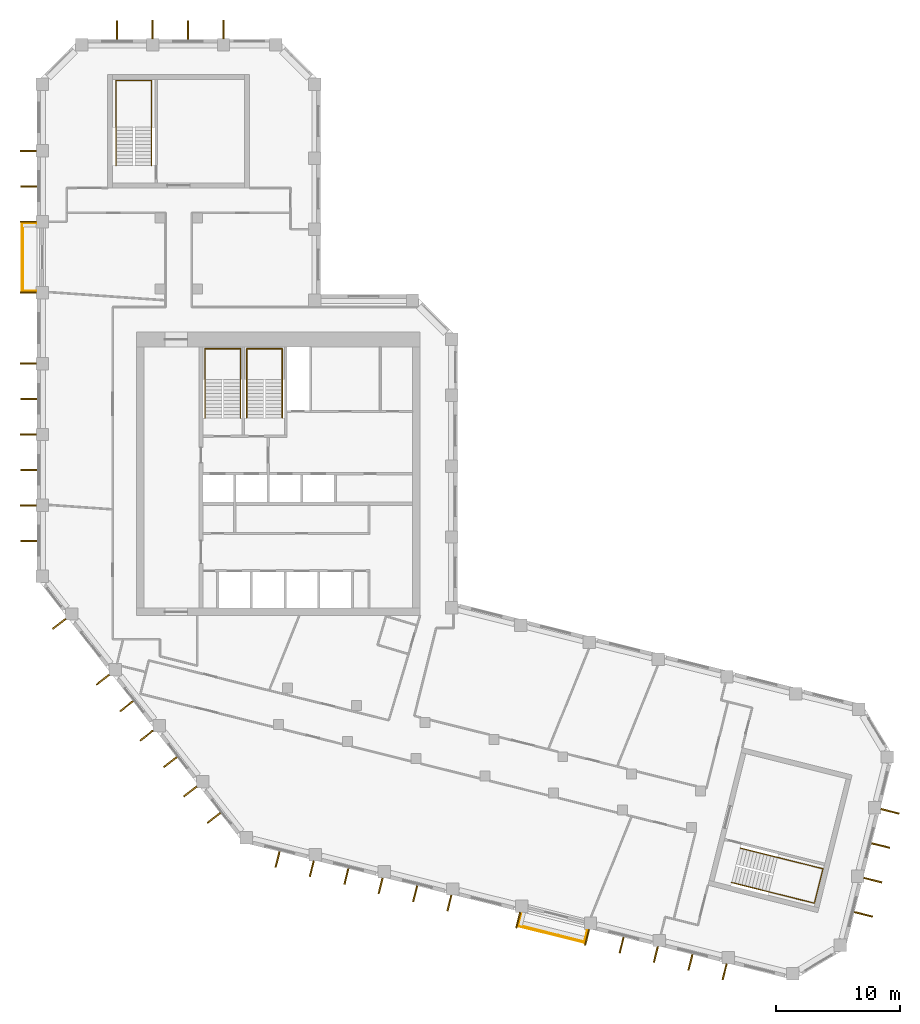
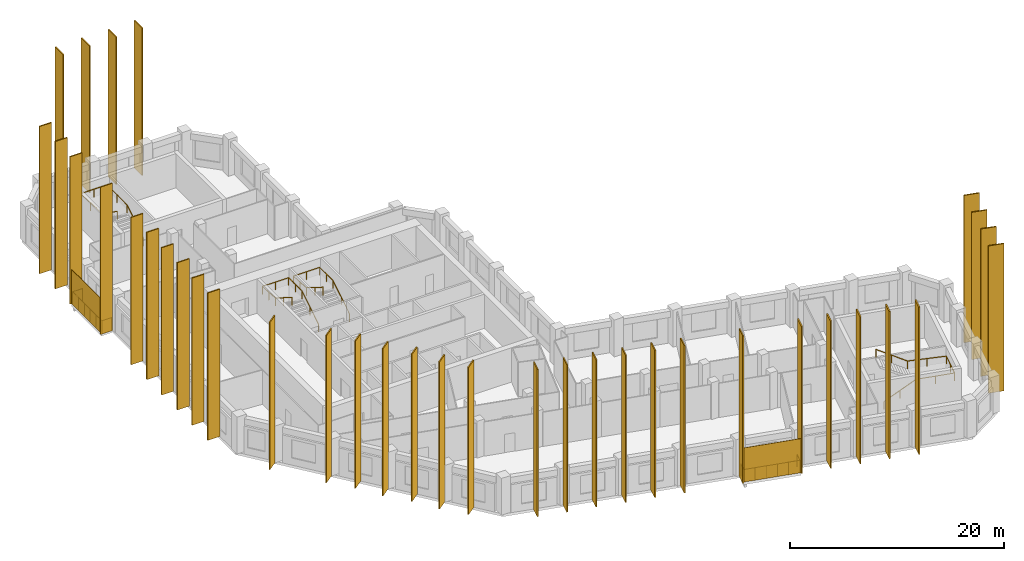
# One storey, part 9 of 9: 39 shading devices, 6 railings.
"""IFC4 building model written with IfcOpenShell, lengths in metres."""

from ifc_helpers import new_model, si_unit, direction, frame, origin, origin_2d, place, context, subcontext, project, spatial, rectangle, circle, extrude, material, layer, layer_set, type_object, element, save


model = new_model("IFC4")

# Units and contexts
model_context = context("Model", 3, precision=1e-05, world=origin(), true_north=direction((0.0, 1.0)))
body_context = subcontext(model_context, "Body", "Model", "MODEL_VIEW")
ifc_project = project(units=[si_unit("LENGTHUNIT", "METRE"), si_unit("AREAUNIT", "SQUARE_METRE"), si_unit("VOLUMEUNIT", "CUBIC_METRE"), si_unit("PLANEANGLEUNIT", "RADIAN"), si_unit("MASSUNIT", "GRAM", prefix="KILO")], contexts=[model_context])

# Site, building, storey
site_placement = place(None, origin())
site = spatial("IfcSite", under=ifc_project, at=site_placement, CompositionType="ELEMENT")
building_placement = place(site_placement, origin())
building = spatial("IfcBuilding", under=site, at=building_placement, Name="Meshkara Civic Tower", CompositionType="ELEMENT")
storey_placement = place(building_placement, frame((0.0, 0.0, 306.60009765625)))
storey = spatial("IfcBuildingStorey", under=building, at=storey_placement, Name="L70", CompositionType="ELEMENT", Elevation=306.60009765625)

# Railings
ifc_material_1 = material(Name="Steel S355", Category="steel")
railing_type_1 = type_object("IfcRailingType", Name="BALUSTRADE GUARD 1400", PredefinedType="BALUSTRADE", material=ifc_material_1)
railing_1_placement = place(storey_placement, frame((-0.050048828125, 45.635009765625, 0.0)))
element("IfcRailing", 1, at=railing_1_placement, inside=storey, type_object=railing_type_1, Name="Balcony guard", PredefinedType="BALUSTRADE", context=body_context, shape_type="SweptSolid", body=[
    extrude(circle(Radius=0.02392578125, at=origin_2d()), frame((0.0, 0.0, 1.3759765625), z_axis=(-1.0, 0.0, 0.0), x_axis=(0.0, -1.0, 0.0)), (0.0, 0.0, 1.0), 1.06005859375),
    extrude(circle(Radius=0.02392578125, at=origin_2d()), frame((-1.06005859375, 0.0, 1.3759765625), z_axis=(0.0, -1.0, 0.0), x_axis=(1.0, 0.0, 0.0)), (0.0, 0.0, 1.0), 5.4599609375),
    extrude(circle(Radius=0.02392578125, at=origin_2d()), frame((-1.06005859375, -5.4599609375, 1.3759765625), z_axis=(1.0, 0.0, 0.0), x_axis=(0.0, 1.0, 0.0)), (0.0, 0.0, 1.0), 1.06005859375),
    extrude(circle(Radius=0.02099609375, at=origin_2d()), origin(), (0.0, 0.0, 1.0), 1.351806640625),
    extrude(circle(Radius=0.02099609375, at=origin_2d()), frame((-1.06005859375, 0.0, 0.0)), (0.0, 0.0, 1.0), 1.351806640625),
    extrude(circle(Radius=0.02099609375, at=origin_2d()), frame((-1.06005859375, -1.092041015625, 0.0)), (0.0, 0.0, 1.0), 1.351806640625),
    extrude(circle(Radius=0.02099609375, at=origin_2d()), frame((-1.06005859375, -2.18408203125, 0.0)), (0.0, 0.0, 1.0), 1.351806640625),
    extrude(circle(Radius=0.02099609375, at=origin_2d()), frame((-1.06005859375, -3.27587890625, 0.0)), (0.0, 0.0, 1.0), 1.351806640625),
    extrude(circle(Radius=0.02099609375, at=origin_2d()), frame((-1.06005859375, -4.367919921875, 0.0)), (0.0, 0.0, 1.0), 1.351806640625),
    extrude(circle(Radius=0.02099609375, at=origin_2d()), frame((-1.06005859375, -5.4599609375, 0.0)), (0.0, 0.0, 1.0), 1.351806640625),
    extrude(circle(Radius=0.02099609375, at=origin_2d()), frame((0.0, -5.4599609375, 0.0)), (0.0, 0.0, 1.0), 1.351806640625),
])
railing_2_placement = place(storey_placement, frame((38.944091796875, -9.87109375, 0.0)))
element("IfcRailing", 2, at=railing_2_placement, inside=storey, type_object=railing_type_1, Name="Balcony guard", PredefinedType="BALUSTRADE", context=body_context, shape_type="SweptSolid", body=[
    extrude(circle(Radius=0.02392578125, at=origin_2d()), frame((0.0, 0.0, 1.3759765625), z_axis=(-0.242234682028, -0.970217686307, 0.0), x_axis=(0.970217686307, -0.242234682028, 0.0)), (0.0, 0.0, 1.0), 0.954345703125),
    extrude(circle(Radius=0.02392578125, at=origin_2d()), frame((-0.231201171875, -0.926025390625, 1.3759765625), z_axis=(0.970334237753, -0.241767382094, 0.0), x_axis=(0.241767382094, 0.970334237753, 0.0)), (0.0, 0.0, 1.0), 5.458984375),
    extrude(circle(Radius=0.02392578125, at=origin_2d()), frame((5.06591796875, -2.245849609375, 1.3759765625), z_axis=(0.242234364289, 0.970217765637, 0.0), x_axis=(-0.970217765637, 0.242234364289, 0.0)), (0.0, 0.0, 1.0), 0.953369140625),
    extrude(circle(Radius=0.02099609375, at=origin_2d()), origin(), (0.0, 0.0, 1.0), 1.351806640625),
    extrude(circle(Radius=0.02099609375, at=origin_2d()), frame((-0.231201171875, -0.926025390625, 0.0)), (0.0, 0.0, 1.0), 1.351806640625),
    extrude(circle(Radius=0.02099609375, at=origin_2d()), frame((0.828125, -1.18994140625, 0.0)), (0.0, 0.0, 1.0), 1.351806640625),
    extrude(circle(Radius=0.02099609375, at=origin_2d()), frame((1.8876953125, -1.453857421875, 0.0)), (0.0, 0.0, 1.0), 1.351806640625),
    extrude(circle(Radius=0.02099609375, at=origin_2d()), frame((2.947021484375, -1.718017578125, 0.0)), (0.0, 0.0, 1.0), 1.351806640625),
    extrude(circle(Radius=0.02099609375, at=origin_2d()), frame((4.006591796875, -1.98193359375, 0.0)), (0.0, 0.0, 1.0), 1.351806640625),
    extrude(circle(Radius=0.02099609375, at=origin_2d()), frame((5.06591796875, -2.245849609375, 0.0)), (0.0, 0.0, 1.0), 1.351806640625),
    extrude(circle(Radius=0.02099609375, at=origin_2d()), frame((5.296875, -1.32080078125, 0.0)), (0.0, 0.0, 1.0), 1.351806640625),
])

# Shading devices
ifc_material_2 = material(Name="Bronze anodised aluminium", Category="aluminium")
ifc_layer_1 = layer(ifc_material_2, 0.1201171875)
ifc_layer_set_1 = layer_set([ifc_layer_1], Name="BRONZE FIN 1300")
shading_device_type_1 = type_object("IfcShadingDeviceType", Name="BRONZE FIN 1300", PredefinedType="USERDEFINED", material=ifc_layer_set_1)
for number, where, z_axis, x_axis, name in (
    (3, (-0.699951171875, 51.455078125, 0.0), (0.0, 0.0, 1.0), (0.0, -1.0, 0.0), "Fin"),
    (4, (-0.64990234375, 48.60498046875, 0.0), (0.0, 0.0, 1.0), (0.0, -1.0, 0.0), "Fin"),
    (5, (-0.699951171875, 45.7548828125, 0.0), (0.0, 0.0, 1.0), (0.0, -1.0, 0.0), "Fin"),
    (6, (-0.699951171875, 40.054931640625, 0.0), (0.0, 0.0, 1.0), (0.0, -1.0, 0.0), "Fin"),
    (7, (-0.699951171875, 34.35498046875, 0.0), (0.0, 0.0, 1.0), (0.0, -1.0, 0.0), "Fin"),
    (8, (-0.64990234375, 31.5048828125, 0.0), (0.0, 0.0, 1.0), (0.0, -1.0, 0.0), "Fin"),
    (9, (-0.699951171875, 28.655029296875, 0.0), (0.0, 0.0, 1.0), (0.0, -1.0, 0.0), "Fin"),
    (10, (-0.64990234375, 25.804931640625, 0.0), (0.0, 0.0, 1.0), (0.0, -1.0, 0.0), "Fin"),
    (11, (-0.699951171875, 22.955078125, 0.0), (0.0, 0.0, 1.0), (0.0, -1.0, 0.0), "Fin"),
    (12, (-0.64990234375, 20.10498046875, 0.0), (0.0, 0.0, 1.0), (0.0, -1.0, 0.0), "Fin"),
    (13, (1.802001953125, 13.43798828125, 0.0), (0.0, 0.0, 1.0), (0.615661475326, -0.788010753607, 0.0), "Fin"),
    (14, (5.31103515625, 8.946044921875, 0.0), (0.0, 0.0, 1.0), (0.615661475326, -0.788010753607, 0.0), "Fin"),
    (15, (7.2109375, 6.81396484375, 0.0), (0.0, 0.0, 1.0), (0.615661475326, -0.788010753607, 0.0), "Fin"),
    (16, (8.821044921875, 4.4541015625, 0.0), (0.0, 0.0, 1.0), (0.615661475326, -0.788010753607, 0.0), "Fin"),
    (17, (10.720947265625, 2.322021484375, 0.0), (0.0, 0.0, 1.0), (0.615661475326, -0.788010753607, 0.0), "Fin"),
    (18, (12.330078125, -0.037109375, 0.0), (0.0, 0.0, 1.0), (0.615661475326, -0.788010753607, 0.0), "Fin"),
    (19, (14.22998046875, -2.1689453125, 0.0), (0.0, 0.0, 1.0), (0.615661475326, -0.788010753607, 0.0), "Fin"),
    (20, (19.35009765625, -5.4951171875, 0.0), (0.0, 0.0, 1.0), (0.970295726276, -0.2419218956, 0.0), "Fin"),
    (21, (22.10009765625, -6.248046875, 0.0), (0.0, 0.0, 1.0), (0.970295726276, -0.2419218956, 0.0), "Fin"),
    (22, (24.881103515625, -6.8740234375, 0.0), (0.0, 0.0, 1.0), (0.970295726276, -0.2419218956, 0.0), "Fin"),
    (23, (27.6298828125, -7.626953125, 0.0), (0.0, 0.0, 1.0), (0.970295726276, -0.2419218956, 0.0), "Fin"),
    (24, (30.410888671875, -8.2529296875, 0.0), (0.0, 0.0, 1.0), (0.970295726276, -0.2419218956, 0.0), "Fin"),
    (25, (33.160888671875, -9.006103515625, 0.0), (0.0, 0.0, 1.0), (0.970295726276, -0.2419218956, 0.0), "Fin"),
    (26, (38.69189453125, -10.385009765625, 0.0), (0.0, 0.0, 1.0), (0.970295726276, -0.2419218956, 0.0), "Fin"),
    (27, (44.221923828125, -11.763916015625, 0.0), (0.0, 0.0, 1.0), (0.970295726276, -0.2419218956, 0.0), "Fin"),
    (28, (47.0029296875, -12.388916015625, 0.0), (0.0, 0.0, 1.0), (0.970295726276, -0.2419218956, 0.0), "Fin"),
    (29, (49.7529296875, -13.14306640625, 0.0), (0.0, 0.0, 1.0), (0.970295726276, -0.2419218956, 0.0), "Fin"),
    (30, (52.533935546875, -13.76904296875, 0.0), (0.0, 0.0, 1.0), (0.970295726276, -0.2419218956, 0.0), "Fin"),
    (31, (55.283935546875, -14.52099609375, 0.0), (0.0, 0.0, 1.0), (0.970295726276, -0.2419218956, 0.0), "Fin"),
):
    element("IfcShadingDevice", number, at=place(storey_placement, frame(where, z_axis=z_axis, x_axis=x_axis)), inside=storey, type_object=shading_device_type_1, Name=name, ObjectType="FIN", PredefinedType="USERDEFINED", context=body_context, shape_type="SweptSolid", body=[
        extrude(rectangle(XDim=0.1201171875, YDim=1.300048828125, at=origin_2d()), origin(), (0.0, 0.0, 1.0), 16.800048828125),
    ])
ifc_material_3 = material(Name="Bronze anodised aluminium", Category="aluminium")
ifc_layer_2 = layer(ifc_material_3, 0.1201171875)
ifc_layer_set_2 = layer_set([ifc_layer_2], Name="BRONZE FIN 1500")
shading_device_type_2 = type_object("IfcShadingDeviceType", Name="BRONZE FIN 1500", PredefinedType="USERDEFINED", material=ifc_layer_set_2)
for number, where, z_axis, x_axis, name in (
    (32, (15.006103515625, 61.219970703125, 0.0), (0.0, 0.0, 1.0), (-1.0, 0.0, 0.0), "Fin"),
    (33, (12.156005859375, 61.169921875, 0.0), (0.0, 0.0, 1.0), (-1.0, 0.0, 0.0), "Fin"),
    (34, (9.305908203125, 61.219970703125, 0.0), (0.0, 0.0, 1.0), (-1.0, 0.0, 0.0), "Fin"),
    (35, (6.4560546875, 61.169921875, 0.0), (0.0, 0.0, 1.0), (-1.0, 0.0, 0.0), "Fin"),
    (36, (66.445068359375, -9.912109375, 0.0), (0.0, 0.0, 1.0), (0.241938830418, 0.970291503795, 0.0), "Fin"),
    (37, (67.197998046875, -7.162109375, 0.0), (0.0, 0.0, 1.0), (0.241938830418, 0.970291503795, 0.0), "Fin"),
    (38, (67.823974609375, -4.381103515625, 0.0), (0.0, 0.0, 1.0), (0.241938830418, 0.970291503795, 0.0), "Fin"),
    (39, (68.576904296875, -1.632080078125, 0.0), (0.0, 0.0, 1.0), (0.241938830418, 0.970291503795, 0.0), "Fin"),
):
    element("IfcShadingDevice", number, at=place(storey_placement, frame(where, z_axis=z_axis, x_axis=x_axis)), inside=storey, type_object=shading_device_type_2, Name=name, ObjectType="FIN", PredefinedType="USERDEFINED", context=body_context, shape_type="SweptSolid", body=[
        extrude(rectangle(XDim=0.1201171875, YDim=1.5, at=origin_2d()), origin(), (0.0, 0.0, 1.0), 16.800048828125),
    ])
ifc_material_4 = material(Name="Perforated bronze anodised aluminium sheet", Category="aluminium")
ifc_layer_3 = layer(ifc_material_4, 0.0400390625)
ifc_layer_set_3 = layer_set([ifc_layer_3], Name="PERFORATED BRONZE SCREEN")
shading_device_type_3 = type_object("IfcShadingDeviceType", Name="PERFORATED BRONZE SCREEN", PredefinedType="USERDEFINED", material=ifc_layer_set_3)
shading_device_1_placement = place(storey_placement, frame((-1.179931640625, 42.905029296875, 0.0), z_axis=(0.0, 0.0, 1.0), x_axis=(0.0, -1.0, 0.0)))
element("IfcShadingDevice", 40, at=shading_device_1_placement, inside=storey, type_object=shading_device_type_3, Name="Balcony screen", ObjectType="SCREEN", PredefinedType="USERDEFINED", context=body_context, shape_type="SweptSolid", body=[
    extrude(rectangle(XDim=5.580078125, YDim=0.0400390625, at=origin_2d()), origin(), (0.0, 0.0, 1.0), 3.89990234375),
])
shading_device_2_placement = place(storey_placement, frame((41.344970703125, -11.52490234375, 0.0), z_axis=(0.0, 0.0, 1.0), x_axis=(0.970295726276, -0.2419218956, 0.0)))
element("IfcShadingDevice", 41, at=shading_device_2_placement, inside=storey, type_object=shading_device_type_3, Name="Balcony screen", ObjectType="SCREEN", PredefinedType="USERDEFINED", context=body_context, shape_type="SweptSolid", body=[
    extrude(rectangle(XDim=5.5791015625, YDim=0.0400390625, at=origin_2d()), origin(), (0.0, 0.0, 1.0), 3.89990234375),
])

# Railings
ifc_material_5 = material(Name="Steel handrail", Category="steel")
railing_type_2 = type_object("IfcRailingType", Name="Stair handrail 900", PredefinedType="HANDRAIL", material=ifc_material_5)
railing_3_placement = place(storey_placement, frame((16.375, 30.0, 0.1748046875)))
element("IfcRailing", 42, at=railing_3_placement, inside=storey, type_object=railing_type_2, Name="L70 ST1 stair handrail 1", PredefinedType="HANDRAIL", context=body_context, shape_type="SweptSolid", body=[
    extrude(circle(Radius=0.02392578125, at=origin_2d()), frame((0.0, 0.0, 0.8759765625), z_axis=(0.0, 0.847998304005, 0.529998940003), x_axis=(-1.0, 0.0, 0.0)), (0.0, 0.0, 1.0), 3.632080078125),
    extrude(circle(Radius=0.02392578125, at=origin_2d()), frame((0.0, 3.080078125, 2.80078125), z_axis=(0.0, 1.0, 0.0), x_axis=(-1.0, 0.0, 0.0)), (0.0, 0.0, 1.0), 2.469970703125),
    extrude(circle(Radius=0.02392578125, at=origin_2d()), frame((0.0, 5.550048828125, 2.80078125), z_axis=(-1.0, 0.0, 0.0), x_axis=(0.0, -1.0, 0.0)), (0.0, 0.0, 1.0), 2.85009765625),
    extrude(circle(Radius=0.02392578125, at=origin_2d()), frame((-2.85009765625, 5.550048828125, 2.80078125), z_axis=(0.0, -0.997498084828, 0.070693498747), x_axis=(1.0, 0.0, 0.0)), (0.0, 0.0, 1.0), 2.47607421875),
    extrude(circle(Radius=0.02392578125, at=origin_2d()), frame((-2.85009765625, 3.080078125, 2.97607421875), z_axis=(0.0, -0.847998304005, 0.529998940003), x_axis=(1.0, 0.0, 0.0)), (0.0, 0.0, 1.0), 3.632080078125),
    extrude(circle(Radius=0.02099609375, at=origin_2d()), origin(), (0.0, 0.0, 1.0), 0.851806640625),
    extrude(circle(Radius=0.02099609375, at=origin_2d()), frame((0.0, 1.5400390625, 0.96240234375)), (0.0, 0.0, 1.0), 0.851806640625),
    extrude(circle(Radius=0.02099609375, at=origin_2d()), frame((0.0, 3.080078125, 1.925048828125)), (0.0, 0.0, 1.0), 0.851806640625),
    extrude(circle(Radius=0.02099609375, at=origin_2d()), frame((0.0, 4.31494140625, 1.925048828125)), (0.0, 0.0, 1.0), 0.851806640625),
    extrude(circle(Radius=0.02099609375, at=origin_2d()), frame((0.0, 5.550048828125, 1.925048828125)), (0.0, 0.0, 1.0), 0.851806640625),
    extrude(circle(Radius=0.02099609375, at=origin_2d()), frame((-1.425048828125, 5.550048828125, 1.925048828125)), (0.0, 0.0, 1.0), 0.851806640625),
    extrude(circle(Radius=0.02099609375, at=origin_2d()), frame((-2.85009765625, 5.550048828125, 1.925048828125)), (0.0, 0.0, 1.0), 0.851806640625),
    extrude(circle(Radius=0.02099609375, at=origin_2d()), frame((-2.85009765625, 4.31494140625, 2.0126953125)), (0.0, 0.0, 1.0), 0.851806640625),
    extrude(circle(Radius=0.02099609375, at=origin_2d()), frame((-2.85009765625, 3.080078125, 2.10009765625)), (0.0, 0.0, 1.0), 0.851806640625),
    extrude(circle(Radius=0.02099609375, at=origin_2d()), frame((-2.85009765625, 1.5400390625, 3.0625)), (0.0, 0.0, 1.0), 0.851806640625),
    extrude(circle(Radius=0.02099609375, at=origin_2d()), frame((-2.85009765625, 0.0, 4.025146484375)), (0.0, 0.0, 1.0), 0.851806640625),
])
railing_4_placement = place(storey_placement, frame((19.72509765625, 30.0, 0.1748046875)))
element("IfcRailing", 43, at=railing_4_placement, inside=storey, type_object=railing_type_2, Name="L70 ST2 stair handrail 1", PredefinedType="HANDRAIL", context=body_context, shape_type="SweptSolid", body=[
    extrude(circle(Radius=0.02392578125, at=origin_2d()), frame((0.0, 0.0, 0.8759765625), z_axis=(0.0, 0.847998304005, 0.529998940003), x_axis=(-1.0, 0.0, 0.0)), (0.0, 0.0, 1.0), 3.632080078125),
    extrude(circle(Radius=0.02392578125, at=origin_2d()), frame((0.0, 3.080078125, 2.80078125), z_axis=(0.0, 1.0, 0.0), x_axis=(-1.0, 0.0, 0.0)), (0.0, 0.0, 1.0), 2.469970703125),
    extrude(circle(Radius=0.02392578125, at=origin_2d()), frame((0.0, 5.550048828125, 2.80078125), z_axis=(-1.0, 0.0, 0.0), x_axis=(0.0, -1.0, 0.0)), (0.0, 0.0, 1.0), 2.85009765625),
    extrude(circle(Radius=0.02392578125, at=origin_2d()), frame((-2.85009765625, 5.550048828125, 2.80078125), z_axis=(0.0, -0.997498084828, 0.070693498747), x_axis=(1.0, 0.0, 0.0)), (0.0, 0.0, 1.0), 2.47607421875),
    extrude(circle(Radius=0.02392578125, at=origin_2d()), frame((-2.85009765625, 3.080078125, 2.97607421875), z_axis=(0.0, -0.847998304005, 0.529998940003), x_axis=(1.0, 0.0, 0.0)), (0.0, 0.0, 1.0), 3.632080078125),
    extrude(circle(Radius=0.02099609375, at=origin_2d()), origin(), (0.0, 0.0, 1.0), 0.851806640625),
    extrude(circle(Radius=0.02099609375, at=origin_2d()), frame((0.0, 1.5400390625, 0.96240234375)), (0.0, 0.0, 1.0), 0.851806640625),
    extrude(circle(Radius=0.02099609375, at=origin_2d()), frame((0.0, 3.080078125, 1.925048828125)), (0.0, 0.0, 1.0), 0.851806640625),
    extrude(circle(Radius=0.02099609375, at=origin_2d()), frame((0.0, 4.31494140625, 1.925048828125)), (0.0, 0.0, 1.0), 0.851806640625),
    extrude(circle(Radius=0.02099609375, at=origin_2d()), frame((0.0, 5.550048828125, 1.925048828125)), (0.0, 0.0, 1.0), 0.851806640625),
    extrude(circle(Radius=0.02099609375, at=origin_2d()), frame((-1.425048828125, 5.550048828125, 1.925048828125)), (0.0, 0.0, 1.0), 0.851806640625),
    extrude(circle(Radius=0.02099609375, at=origin_2d()), frame((-2.85009765625, 5.550048828125, 1.925048828125)), (0.0, 0.0, 1.0), 0.851806640625),
    extrude(circle(Radius=0.02099609375, at=origin_2d()), frame((-2.85009765625, 4.31494140625, 2.0126953125)), (0.0, 0.0, 1.0), 0.851806640625),
    extrude(circle(Radius=0.02099609375, at=origin_2d()), frame((-2.85009765625, 3.080078125, 2.10009765625)), (0.0, 0.0, 1.0), 0.851806640625),
    extrude(circle(Radius=0.02099609375, at=origin_2d()), frame((-2.85009765625, 1.5400390625, 3.0625)), (0.0, 0.0, 1.0), 0.851806640625),
    extrude(circle(Radius=0.02099609375, at=origin_2d()), frame((-2.85009765625, 0.0, 4.025146484375)), (0.0, 0.0, 1.0), 0.851806640625),
])
railing_5_placement = place(storey_placement, frame((9.22509765625, 50.27001953125, 0.1748046875)))
element("IfcRailing", 44, at=railing_5_placement, inside=storey, type_object=railing_type_2, Name="L70 ESA5 stair handrail 1", PredefinedType="HANDRAIL", context=body_context, shape_type="SweptSolid", body=[
    extrude(circle(Radius=0.02392578125, at=origin_2d()), frame((0.0, 0.0, 0.8759765625), z_axis=(0.0, 0.847998304005, 0.529998940003), x_axis=(-1.0, 0.0, 0.0)), (0.0, 0.0, 1.0), 3.632080078125),
    extrude(circle(Radius=0.02392578125, at=origin_2d()), frame((0.0, 3.080078125, 2.80078125), z_axis=(0.0, 1.0, 0.0), x_axis=(-1.0, 0.0, 0.0)), (0.0, 0.0, 1.0), 3.77001953125),
    extrude(circle(Radius=0.02392578125, at=origin_2d()), frame((0.0, 6.85009765625, 2.80078125), z_axis=(-1.0, 0.0, 0.0), x_axis=(0.0, -1.0, 0.0)), (0.0, 0.0, 1.0), 2.85009765625),
    extrude(circle(Radius=0.02392578125, at=origin_2d()), frame((-2.85009765625, 6.85009765625, 2.80078125), z_axis=(0.0, -0.9989237834, 0.046381838667), x_axis=(1.0, 0.0, 0.0)), (0.0, 0.0, 1.0), 3.774169921875),
    extrude(circle(Radius=0.02392578125, at=origin_2d()), frame((-2.85009765625, 3.080078125, 2.97607421875), z_axis=(0.0, -0.847998304005, 0.529998940003), x_axis=(1.0, 0.0, 0.0)), (0.0, 0.0, 1.0), 3.632080078125),
    extrude(circle(Radius=0.02099609375, at=origin_2d()), origin(), (0.0, 0.0, 1.0), 0.851806640625),
    extrude(circle(Radius=0.02099609375, at=origin_2d()), frame((0.0, 1.5400390625, 0.96240234375)), (0.0, 0.0, 1.0), 0.851806640625),
    extrude(circle(Radius=0.02099609375, at=origin_2d()), frame((0.0, 3.080078125, 1.925048828125)), (0.0, 0.0, 1.0), 0.851806640625),
    extrude(circle(Radius=0.02099609375, at=origin_2d()), frame((0.0, 4.965087890625, 1.925048828125)), (0.0, 0.0, 1.0), 0.851806640625),
    extrude(circle(Radius=0.02099609375, at=origin_2d()), frame((0.0, 6.85009765625, 1.925048828125)), (0.0, 0.0, 1.0), 0.851806640625),
    extrude(circle(Radius=0.02099609375, at=origin_2d()), frame((-1.425048828125, 6.85009765625, 1.925048828125)), (0.0, 0.0, 1.0), 0.851806640625),
    extrude(circle(Radius=0.02099609375, at=origin_2d()), frame((-2.85009765625, 6.85009765625, 1.925048828125)), (0.0, 0.0, 1.0), 0.851806640625),
    extrude(circle(Radius=0.02099609375, at=origin_2d()), frame((-2.85009765625, 4.965087890625, 2.0126953125)), (0.0, 0.0, 1.0), 0.851806640625),
    extrude(circle(Radius=0.02099609375, at=origin_2d()), frame((-2.85009765625, 3.080078125, 2.10009765625)), (0.0, 0.0, 1.0), 0.851806640625),
    extrude(circle(Radius=0.02099609375, at=origin_2d()), frame((-2.85009765625, 1.5400390625, 3.0625)), (0.0, 0.0, 1.0), 0.851806640625),
    extrude(circle(Radius=0.02099609375, at=origin_2d()), frame((-2.85009765625, 0.0, 4.025146484375)), (0.0, 0.0, 1.0), 0.851806640625),
])
railing_6_placement = place(storey_placement, frame((55.849365234375, -7.3544921875, 0.1748046875)))
element("IfcRailing", 45, at=railing_6_placement, inside=storey, type_object=railing_type_2, Name="L70 ESB5 stair handrail 1", PredefinedType="HANDRAIL", context=body_context, shape_type="SweptSolid", body=[
    extrude(circle(Radius=0.02392578125, at=origin_2d()), frame((0.0, 0.0, 0.8759765625), z_axis=(0.822781968105, -0.205275396666, 0.529992306062), x_axis=(0.242069343812, 0.970258951408, 0.0)), (0.0, 0.0, 1.0), 3.63232421875),
    extrude(circle(Radius=0.02392578125, at=origin_2d()), frame((2.988525390625, -0.74560546875, 2.80078125), z_axis=(0.970256677427, -0.242078458165, 0.0), x_axis=(0.242078458165, 0.970256677427, 0.0)), (0.0, 0.0, 1.0), 3.769775390625),
    extrude(circle(Radius=0.02392578125, at=origin_2d()), frame((6.646240234375, -1.658203125, 2.80078125), z_axis=(0.242072031574, 0.970258280835, 0.0), x_axis=(-0.970258280835, 0.242072031574, 0.0)), (0.0, 0.0, 1.0), 2.85009765625),
    extrude(circle(Radius=0.02392578125, at=origin_2d()), frame((7.336181640625, 1.107177734375, 2.80078125), z_axis=(-0.969216294885, 0.241802743795, 0.046381104147), x_axis=(-0.242063248025, -0.970260472221, 0.0)), (0.0, 0.0, 1.0), 3.774169921875),
    extrude(circle(Radius=0.02392578125, at=origin_2d()), frame((3.67822265625, 2.019775390625, 2.97607421875), z_axis=(-0.822771605551, 0.205222362071, 0.530028930537), x_axis=(-0.242013336109, -0.97027292302, 0.0)), (0.0, 0.0, 1.0), 3.632080078125),
    extrude(circle(Radius=0.02099609375, at=origin_2d()), origin(), (0.0, 0.0, 1.0), 0.851806640625),
    extrude(circle(Radius=0.02099609375, at=origin_2d()), frame((1.494140625, -0.372802734375, 0.96240234375)), (0.0, 0.0, 1.0), 0.851806640625),
    extrude(circle(Radius=0.02099609375, at=origin_2d()), frame((2.988525390625, -0.74560546875, 1.925048828125)), (0.0, 0.0, 1.0), 0.851806640625),
    extrude(circle(Radius=0.02099609375, at=origin_2d()), frame((4.8173828125, -1.201904296875, 1.925048828125)), (0.0, 0.0, 1.0), 0.851806640625),
    extrude(circle(Radius=0.02099609375, at=origin_2d()), frame((6.646240234375, -1.658203125, 1.925048828125)), (0.0, 0.0, 1.0), 0.851806640625),
    extrude(circle(Radius=0.02099609375, at=origin_2d()), frame((6.9912109375, -0.275390625, 1.925048828125)), (0.0, 0.0, 1.0), 0.851806640625),
    extrude(circle(Radius=0.02099609375, at=origin_2d()), frame((7.336181640625, 1.107177734375, 1.925048828125)), (0.0, 0.0, 1.0), 0.851806640625),
    extrude(circle(Radius=0.02099609375, at=origin_2d()), frame((5.50732421875, 1.5634765625, 2.0126953125)), (0.0, 0.0, 1.0), 0.851806640625),
    extrude(circle(Radius=0.02099609375, at=origin_2d()), frame((3.67822265625, 2.019775390625, 2.10009765625)), (0.0, 0.0, 1.0), 0.851806640625),
    extrude(circle(Radius=0.02099609375, at=origin_2d()), frame((2.18408203125, 2.392578125, 3.0625)), (0.0, 0.0, 1.0), 0.851806640625),
    extrude(circle(Radius=0.02099609375, at=origin_2d()), frame((0.68994140625, 2.76513671875, 4.025146484375)), (0.0, 0.0, 1.0), 0.851806640625),
])

save(model, "model.ifc")
